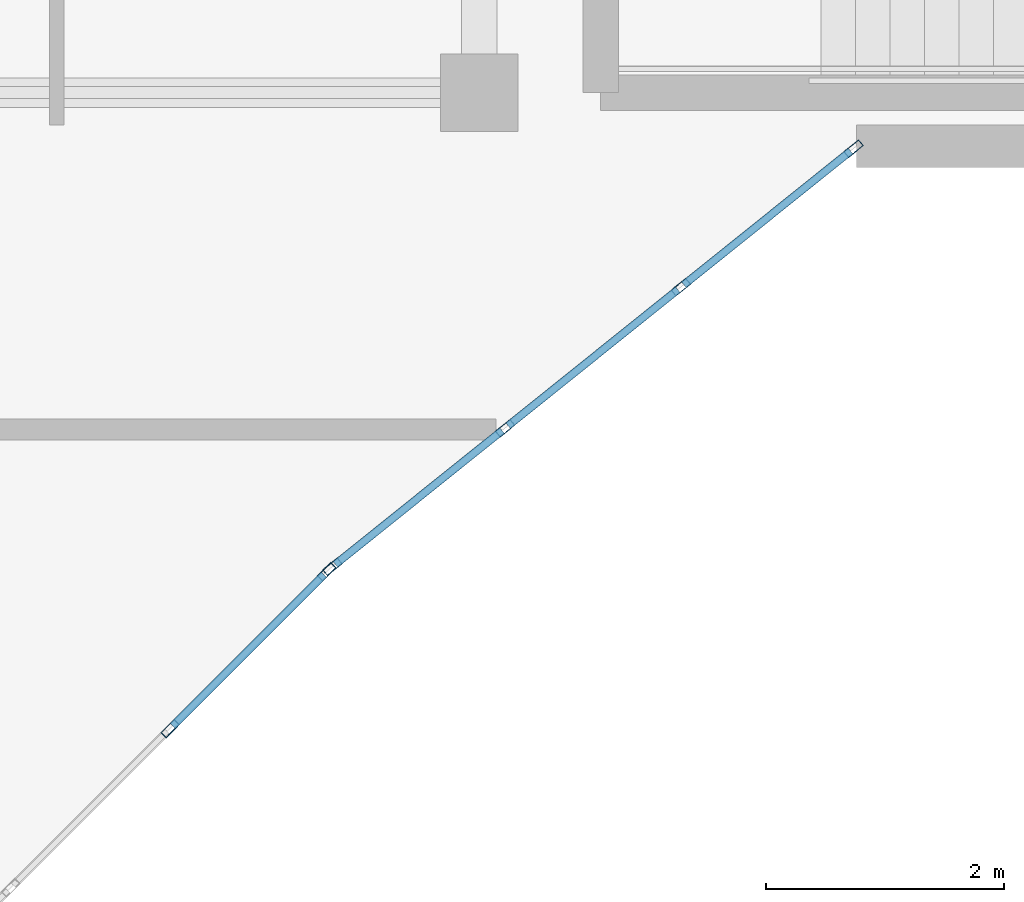
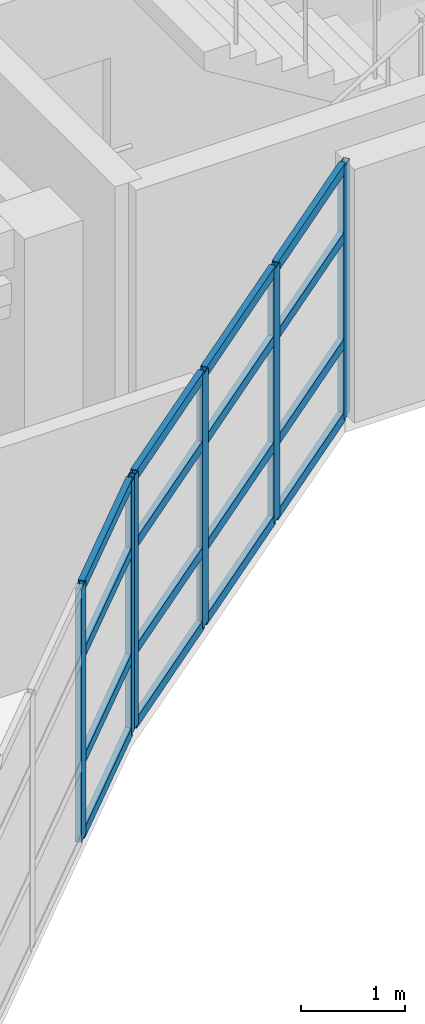
# One storey, part 49 of 128: 22 members, 2 elements without a shape of their own.
"""IFC4 building model written with IfcOpenShell, lengths in metres."""

from ifc_helpers import new_model, si_unit, direction, frame, origin, origin_2d, place, context, subcontext, project, spatial, hollow_rectangle, extrude, material, layer, layer_set, material_profile, profile_set, type_object, element, aggregate, save


model = new_model("IFC4")

# Units and contexts
model_context = context("Model", 3, precision=1e-05, world=origin(), true_north=direction((0.0, 1.0)))
body_context = subcontext(model_context, "Body", "Model", "MODEL_VIEW")
ifc_project = project(units=[si_unit("LENGTHUNIT", "METRE"), si_unit("AREAUNIT", "SQUARE_METRE"), si_unit("VOLUMEUNIT", "CUBIC_METRE"), si_unit("PLANEANGLEUNIT", "RADIAN"), si_unit("MASSUNIT", "GRAM", prefix="KILO")], contexts=[model_context])

# Site, building, storey
site_placement = place(None, origin())
site = spatial("IfcSite", under=ifc_project, at=site_placement, CompositionType="ELEMENT")
building_placement = place(site_placement, origin())
building = spatial("IfcBuilding", under=site, at=building_placement, Name="Keldmere Railside Commons", CompositionType="ELEMENT")
storey_placement = place(building_placement, frame((0.0, 0.0, 4.159912109375)))
storey = spatial("IfcBuildingStorey", under=building, at=storey_placement, Name="L01", CompositionType="ELEMENT", Elevation=4.159912109375)

# Curtain wall, members
ifc_material = material(Name="Thermally Broken Aluminium", Category="aluminium")
ifc_layer_1 = layer(ifc_material, 0.159912109375, Name="Court Chord Wintergarden CW 5400x2850")
ifc_layer_set_1 = layer_set([ifc_layer_1], Name="Thermally Broken Aluminium")
curtain_wall_type_1 = type_object("IfcCurtainWallType", Name="Court Chord Wintergarden CW 5400x2850", PredefinedType="NOTDEFINED", material=ifc_layer_set_1)
curtain_wall_1_placement = place(storey_placement, origin())
curtain_wall_1 = element("IfcCurtainWall", 1, at=curtain_wall_1_placement, inside=storey, type_object=curtain_wall_type_1, Name="CW-13 CW-L01-032", PredefinedType="NOTDEFINED")
ifc_material_profile_1 = material_profile(ifc_material, hollow_rectangle(XDim=0.06494140625, YDim=0.159912109375, WallThickness=0.00390625, at=origin_2d()), Name="ALU-MULL-65x160")
ifc_profile_set_1 = profile_set([ifc_material_profile_1], Name="Thermally Broken Aluminium")
member_type_1 = type_object("IfcMemberType", Name="Unitised Curtain Wall Mullion 65x160", PredefinedType="MULLION", material=ifc_profile_set_1)
member_1_placement = place(storey_placement, frame((71.547119140625, 96.423095703125, 0.0), z_axis=(0.0, 0.0, 1.0), x_axis=(0.707106781187, -0.707106781187, 0.0)))
member_1 = element("IfcMember", 2, at=member_1_placement, type_object=member_type_1, Name="CW-13 mullion 1", PredefinedType="MULLION", context=body_context, shape_type="SweptSolid", body=[
    extrude(hollow_rectangle(XDim=0.06494140625, YDim=0.159912109375, WallThickness=0.00390625, at=origin_2d()), origin(), (0.0, 0.0, 1.0), 2.97998046875),
])
member_2_placement = place(storey_placement, frame((70.2314453125, 95.107421875, 0.0), z_axis=(0.0, 0.0, 1.0), x_axis=(0.707106781187, -0.707106781187, 0.0)))
member_2 = element("IfcMember", 3, at=member_2_placement, type_object=member_type_1, Name="CW-13 mullion 2", PredefinedType="MULLION", context=body_context, shape_type="SweptSolid", body=[
    extrude(hollow_rectangle(XDim=0.06494140625, YDim=0.159912109375, WallThickness=0.00390625, at=origin_2d()), origin(), (0.0, 0.0, 1.0), 2.97998046875),
])

ifc_layer_2 = layer(ifc_material, 0.159912109375, Name="Court Chord Wintergarden CW 4800x2850")
ifc_layer_set_2 = layer_set([ifc_layer_2], Name="Thermally Broken Aluminium")
curtain_wall_type_2 = type_object("IfcCurtainWallType", Name="Court Chord Wintergarden CW 4800x2850", PredefinedType="NOTDEFINED", material=ifc_layer_set_2)
curtain_wall_2_placement = place(storey_placement, origin())
curtain_wall_2 = element("IfcCurtainWall", 4, at=curtain_wall_2_placement, inside=storey, type_object=curtain_wall_type_2, Name="CW-12 CW-L01-033", PredefinedType="NOTDEFINED")
member_3_placement = place(storey_placement, frame((75.974609375, 99.979736328125, 0.0), z_axis=(0.0, 0.0, 1.0), x_axis=(0.625768080915, -0.780009172323, 0.0)))
member_3 = element("IfcMember", 5, at=member_3_placement, type_object=member_type_1, Name="CW-12 mullion 1", PredefinedType="MULLION", context=body_context, shape_type="SweptSolid", body=[
    extrude(hollow_rectangle(XDim=0.06494140625, YDim=0.159912109375, WallThickness=0.00390625, at=origin_2d()), origin(), (0.0, 0.0, 1.0), 2.97998046875),
])
member_4_placement = place(storey_placement, frame((74.5234375, 98.8154296875, 0.0), z_axis=(0.0, 0.0, 1.0), x_axis=(0.625768080915, -0.780009172323, 0.0)))
member_4 = element("IfcMember", 6, at=member_4_placement, type_object=member_type_1, Name="CW-12 mullion 2", PredefinedType="MULLION", context=body_context, shape_type="SweptSolid", body=[
    extrude(hollow_rectangle(XDim=0.06494140625, YDim=0.159912109375, WallThickness=0.00390625, at=origin_2d()), origin(), (0.0, 0.0, 1.0), 2.97998046875),
])
member_5_placement = place(storey_placement, frame((73.046630859375, 97.630615234375, 0.0), z_axis=(0.0, 0.0, 1.0), x_axis=(0.625768080915, -0.780009172323, 0.0)))
member_5 = element("IfcMember", 7, at=member_5_placement, type_object=member_type_1, Name="CW-12 mullion 3", PredefinedType="MULLION", context=body_context, shape_type="SweptSolid", body=[
    extrude(hollow_rectangle(XDim=0.06494140625, YDim=0.159912109375, WallThickness=0.00390625, at=origin_2d()), origin(), (0.0, 0.0, 1.0), 2.97998046875),
])
member_6_placement = place(storey_placement, frame((71.595458984375, 96.46630859375, 0.0), z_axis=(0.0, 0.0, 1.0), x_axis=(0.625768080915, -0.780009172323, 0.0)))
member_6 = element("IfcMember", 8, at=member_6_placement, type_object=member_type_1, Name="CW-12 mullion 4", PredefinedType="MULLION", context=body_context, shape_type="SweptSolid", body=[
    extrude(hollow_rectangle(XDim=0.06494140625, YDim=0.159912109375, WallThickness=0.00390625, at=origin_2d()), origin(), (0.0, 0.0, 1.0), 2.97998046875),
])

# Member
ifc_material_profile_2 = material_profile(ifc_material, hollow_rectangle(XDim=0.06494140625, YDim=0.1201171875, WallThickness=0.00390625, at=origin_2d()), Name="ALU-TRAN-65x120")
ifc_profile_set_2 = profile_set([ifc_material_profile_2], Name="Thermally Broken Aluminium")
member_type_2 = type_object("IfcMemberType", Name="Unitised Curtain Wall Transom 65x120", PredefinedType="USERDEFINED", material=ifc_profile_set_2)
member_7_placement = place(storey_placement, frame((71.52392578125, 96.400146484375, 0.032470703125), z_axis=(-0.707038793419, -0.707174762418, 0.0), x_axis=(0.707174762418, -0.707038793419, 0.0)))
member_7 = element("IfcMember", 9, at=member_7_placement, type_object=member_type_2, Name="CW-13 transom 1.1", ObjectType="TRANSOM", PredefinedType="USERDEFINED", context=body_context, shape_type="SweptSolid", body=[
    extrude(hollow_rectangle(XDim=0.06494140625, YDim=0.1201171875, WallThickness=0.00390625, at=origin_2d()), origin(), (0.0, 0.0, 1.0), 1.795654296875),
])

member_8_placement = place(storey_placement, frame((71.52392578125, 96.400146484375, 0.900146484375), z_axis=(-0.707038793419, -0.707174762418, 0.0), x_axis=(0.707174762418, -0.707038793419, 0.0)))
member_8 = element("IfcMember", 10, at=member_8_placement, type_object=member_type_2, Name="CW-13 transom 1.2", ObjectType="TRANSOM", PredefinedType="USERDEFINED", context=body_context, shape_type="SweptSolid", body=[
    extrude(hollow_rectangle(XDim=0.06494140625, YDim=0.1201171875, WallThickness=0.00390625, at=origin_2d()), origin(), (0.0, 0.0, 1.0), 1.795654296875),
])

member_9_placement = place(storey_placement, frame((71.52392578125, 96.400146484375, 2.150146484375), z_axis=(-0.707038793419, -0.707174762418, 0.0), x_axis=(0.707174762418, -0.707038793419, 0.0)))
member_9 = element("IfcMember", 11, at=member_9_placement, type_object=member_type_2, Name="CW-13 transom 1.3", ObjectType="TRANSOM", PredefinedType="USERDEFINED", context=body_context, shape_type="SweptSolid", body=[
    extrude(hollow_rectangle(XDim=0.06494140625, YDim=0.1201171875, WallThickness=0.00390625, at=origin_2d()), origin(), (0.0, 0.0, 1.0), 1.795654296875),
])

member_10_placement = place(storey_placement, frame((71.52392578125, 96.400146484375, 2.947509765625), z_axis=(-0.707038793419, -0.707174762418, 0.0), x_axis=(0.707174762418, -0.707038793419, 0.0)))
member_10 = element("IfcMember", 12, at=member_10_placement, type_object=member_type_2, Name="CW-13 transom 1.4", ObjectType="TRANSOM", PredefinedType="USERDEFINED", context=body_context, shape_type="SweptSolid", body=[
    extrude(hollow_rectangle(XDim=0.06494140625, YDim=0.1201171875, WallThickness=0.00390625, at=origin_2d()), origin(), (0.0, 0.0, 1.0), 1.795654296875),
])

aggregate(curtain_wall_1, [member_1, member_2, member_7, member_8, member_9, member_10])

member_11_placement = place(storey_placement, frame((75.94921875, 99.959228515625, 0.032470703125), z_axis=(-0.780045694992, -0.625722553313, 0.0), x_axis=(0.625722553313, -0.780045694992, 0.0)))
member_11 = element("IfcMember", 13, at=member_11_placement, type_object=member_type_2, Name="CW-12 transom 1.1", ObjectType="TRANSOM", PredefinedType="USERDEFINED", context=body_context, shape_type="SweptSolid", body=[
    extrude(hollow_rectangle(XDim=0.06494140625, YDim=0.1201171875, WallThickness=0.00390625, at=origin_2d()), origin(), (0.0, 0.0, 1.0), 1.795654296875),
])

member_12_placement = place(storey_placement, frame((75.94921875, 99.959228515625, 0.900146484375), z_axis=(-0.780045694992, -0.625722553313, 0.0), x_axis=(0.625722553313, -0.780045694992, 0.0)))
member_12 = element("IfcMember", 14, at=member_12_placement, type_object=member_type_2, Name="CW-12 transom 1.2", ObjectType="TRANSOM", PredefinedType="USERDEFINED", context=body_context, shape_type="SweptSolid", body=[
    extrude(hollow_rectangle(XDim=0.06494140625, YDim=0.1201171875, WallThickness=0.00390625, at=origin_2d()), origin(), (0.0, 0.0, 1.0), 1.795654296875),
])

member_13_placement = place(storey_placement, frame((75.94921875, 99.959228515625, 2.150146484375), z_axis=(-0.780045694992, -0.625722553313, 0.0), x_axis=(0.625722553313, -0.780045694992, 0.0)))
member_13 = element("IfcMember", 15, at=member_13_placement, type_object=member_type_2, Name="CW-12 transom 1.3", ObjectType="TRANSOM", PredefinedType="USERDEFINED", context=body_context, shape_type="SweptSolid", body=[
    extrude(hollow_rectangle(XDim=0.06494140625, YDim=0.1201171875, WallThickness=0.00390625, at=origin_2d()), origin(), (0.0, 0.0, 1.0), 1.795654296875),
])

member_14_placement = place(storey_placement, frame((75.94921875, 99.959228515625, 2.947509765625), z_axis=(-0.780045694992, -0.625722553313, 0.0), x_axis=(0.625722553313, -0.780045694992, 0.0)))
member_14 = element("IfcMember", 16, at=member_14_placement, type_object=member_type_2, Name="CW-12 transom 1.4", ObjectType="TRANSOM", PredefinedType="USERDEFINED", context=body_context, shape_type="SweptSolid", body=[
    extrude(hollow_rectangle(XDim=0.06494140625, YDim=0.1201171875, WallThickness=0.00390625, at=origin_2d()), origin(), (0.0, 0.0, 1.0), 1.795654296875),
])

member_15_placement = place(storey_placement, frame((74.498046875, 98.794921875, 0.032470703125), z_axis=(-0.78007338409, -0.625688033635, 0.0), x_axis=(0.625688033635, -0.78007338409, 0.0)))
member_15 = element("IfcMember", 17, at=member_15_placement, type_object=member_type_2, Name="CW-12 transom 2.1", ObjectType="TRANSOM", PredefinedType="USERDEFINED", context=body_context, shape_type="SweptSolid", body=[
    extrude(hollow_rectangle(XDim=0.06494140625, YDim=0.1201171875, WallThickness=0.00390625, at=origin_2d()), origin(), (0.0, 0.0, 1.0), 1.828125),
])

member_16_placement = place(storey_placement, frame((74.498046875, 98.794921875, 0.900146484375), z_axis=(-0.78007338409, -0.625688033635, 0.0), x_axis=(0.625688033635, -0.78007338409, 0.0)))
member_16 = element("IfcMember", 18, at=member_16_placement, type_object=member_type_2, Name="CW-12 transom 2.2", ObjectType="TRANSOM", PredefinedType="USERDEFINED", context=body_context, shape_type="SweptSolid", body=[
    extrude(hollow_rectangle(XDim=0.06494140625, YDim=0.1201171875, WallThickness=0.00390625, at=origin_2d()), origin(), (0.0, 0.0, 1.0), 1.828125),
])

member_17_placement = place(storey_placement, frame((74.498046875, 98.794921875, 2.150146484375), z_axis=(-0.78007338409, -0.625688033635, 0.0), x_axis=(0.625688033635, -0.78007338409, 0.0)))
member_17 = element("IfcMember", 19, at=member_17_placement, type_object=member_type_2, Name="CW-12 transom 2.3", ObjectType="TRANSOM", PredefinedType="USERDEFINED", context=body_context, shape_type="SweptSolid", body=[
    extrude(hollow_rectangle(XDim=0.06494140625, YDim=0.1201171875, WallThickness=0.00390625, at=origin_2d()), origin(), (0.0, 0.0, 1.0), 1.828125),
])

member_18_placement = place(storey_placement, frame((74.498046875, 98.794921875, 2.947509765625), z_axis=(-0.78007338409, -0.625688033635, 0.0), x_axis=(0.625688033635, -0.78007338409, 0.0)))
member_18 = element("IfcMember", 20, at=member_18_placement, type_object=member_type_2, Name="CW-12 transom 2.4", ObjectType="TRANSOM", PredefinedType="USERDEFINED", context=body_context, shape_type="SweptSolid", body=[
    extrude(hollow_rectangle(XDim=0.06494140625, YDim=0.1201171875, WallThickness=0.00390625, at=origin_2d()), origin(), (0.0, 0.0, 1.0), 1.828125),
])

member_19_placement = place(storey_placement, frame((73.021240234375, 97.6103515625, 0.032470703125), z_axis=(-0.779979331565, -0.625805275091, 0.0), x_axis=(0.625805275091, -0.779979331565, 0.0)))
member_19 = element("IfcMember", 21, at=member_19_placement, type_object=member_type_2, Name="CW-12 transom 3.1", ObjectType="TRANSOM", PredefinedType="USERDEFINED", context=body_context, shape_type="SweptSolid", body=[
    extrude(hollow_rectangle(XDim=0.06494140625, YDim=0.1201171875, WallThickness=0.00390625, at=origin_2d()), origin(), (0.0, 0.0, 1.0), 1.795654296875),
])

member_20_placement = place(storey_placement, frame((73.021240234375, 97.6103515625, 0.900146484375), z_axis=(-0.779979331565, -0.625805275091, 0.0), x_axis=(0.625805275091, -0.779979331565, 0.0)))
member_20 = element("IfcMember", 22, at=member_20_placement, type_object=member_type_2, Name="CW-12 transom 3.2", ObjectType="TRANSOM", PredefinedType="USERDEFINED", context=body_context, shape_type="SweptSolid", body=[
    extrude(hollow_rectangle(XDim=0.06494140625, YDim=0.1201171875, WallThickness=0.00390625, at=origin_2d()), origin(), (0.0, 0.0, 1.0), 1.795654296875),
])

member_21_placement = place(storey_placement, frame((73.021240234375, 97.6103515625, 2.150146484375), z_axis=(-0.779979331565, -0.625805275091, 0.0), x_axis=(0.625805275091, -0.779979331565, 0.0)))
member_21 = element("IfcMember", 23, at=member_21_placement, type_object=member_type_2, Name="CW-12 transom 3.3", ObjectType="TRANSOM", PredefinedType="USERDEFINED", context=body_context, shape_type="SweptSolid", body=[
    extrude(hollow_rectangle(XDim=0.06494140625, YDim=0.1201171875, WallThickness=0.00390625, at=origin_2d()), origin(), (0.0, 0.0, 1.0), 1.795654296875),
])

member_22_placement = place(storey_placement, frame((73.021240234375, 97.6103515625, 2.947509765625), z_axis=(-0.779979331565, -0.625805275091, 0.0), x_axis=(0.625805275091, -0.779979331565, 0.0)))
member_22 = element("IfcMember", 24, at=member_22_placement, type_object=member_type_2, Name="CW-12 transom 3.4", ObjectType="TRANSOM", PredefinedType="USERDEFINED", context=body_context, shape_type="SweptSolid", body=[
    extrude(hollow_rectangle(XDim=0.06494140625, YDim=0.1201171875, WallThickness=0.00390625, at=origin_2d()), origin(), (0.0, 0.0, 1.0), 1.795654296875),
])

aggregate(curtain_wall_2, [member_3, member_4, member_5, member_6, member_11, member_12, member_13, member_14, member_15, member_16, member_17, member_18, member_19, member_20, member_21, member_22])

save(model, "model.ifc")
